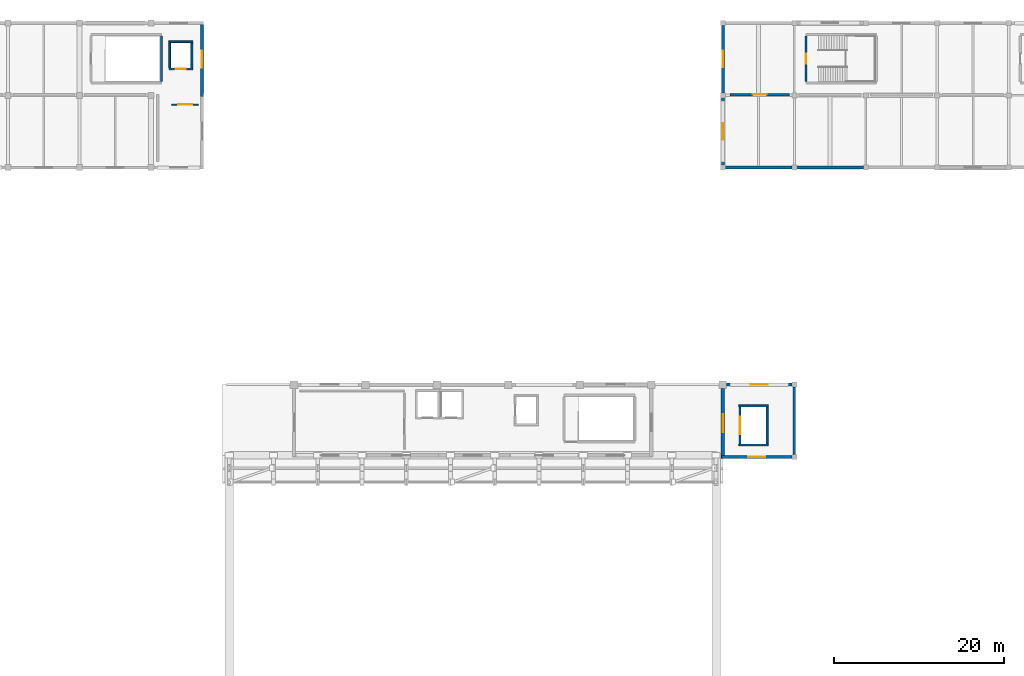
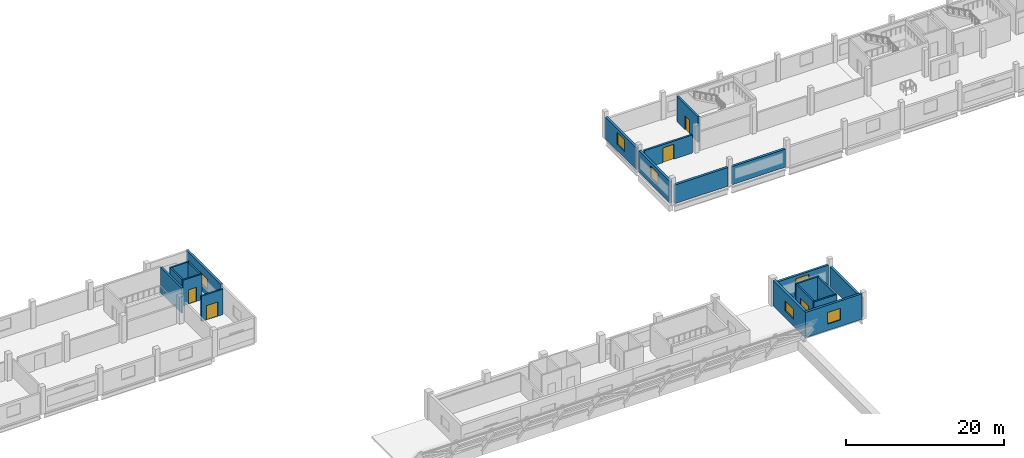
# One storey, part 43 of 52: 21 walls, 6 windows, 5 doors, 11 openings.
"""IFC4 building model written with IfcOpenShell, lengths in metres."""

from ifc_helpers import new_model, si_unit, direction, frame, frame_2d, origin, place, context, subcontext, project, spatial, rectangle, extrude, material, layer, layer_set, type_object, element, fill, save


model = new_model("IFC4")

# Units and contexts
model_context = context("Model", 3, precision=1e-05, world=origin(), true_north=direction((0.0, 1.0)))
body_context = subcontext(model_context, "Body", "Model", "MODEL_VIEW")
ifc_project = project(units=[si_unit("LENGTHUNIT", "METRE"), si_unit("AREAUNIT", "SQUARE_METRE"), si_unit("VOLUMEUNIT", "CUBIC_METRE"), si_unit("PLANEANGLEUNIT", "RADIAN"), si_unit("MASSUNIT", "GRAM", prefix="KILO")], contexts=[model_context])

# Site, building, storey
site_placement = place(None, origin())
site = spatial("IfcSite", under=ifc_project, at=site_placement, CompositionType="ELEMENT")
building_placement = place(site_placement, origin())
building = spatial("IfcBuilding", under=site, at=building_placement, Name="Solvento Point Concert Hall", CompositionType="ELEMENT")
storey_placement = place(building_placement, frame((0.0, 0.0, 19.5)))
storey = spatial("IfcBuildingStorey", under=building, at=storey_placement, Name="L04", CompositionType="ELEMENT", Elevation=19.5)

# Wall, opening, door
ifc_material_1 = material(Name="Acoustic Double-Stud Gypsum Partition")
ifc_layer_1 = layer(ifc_material_1, 0.2080078125)
ifc_layer_set_1 = layer_set([ifc_layer_1], Name="Acoustic Double-Stud Gypsum Partition")
wall_type_1 = type_object("IfcWallType", Name="AcousticPartition_208", PredefinedType="PARTITIONING", material=ifc_layer_set_1)
wall_1_placement = place(storey_placement, frame((68.39990234375, 126.39990234375, 0.0), z_axis=(0.0, 0.0, 1.0), x_axis=(1.0, 0.0, 0.0)))
wall_1 = element("IfcWall", 1, at=wall_1_placement, inside=storey, type_object=wall_type_1, Name="Lift lobby partition LP-03 L04", PredefinedType="PARTITIONING", context=body_context, shape_type="SweptSolid", body=[
    extrude(rectangle(XDim=3.2001953125, YDim=0.2080078125, at=frame_2d((1.60009765625, 0.0))), origin(), (0.0, 0.0, 1.0), 3.93994140625),
])
opening_1_placement = place(wall_1_placement, frame((0.77490234375, 0.0, 0.0)))
opening_1 = element("IfcOpeningElement", 2, at=opening_1_placement, cuts=wall_1, Name="Opening D-FL1", PredefinedType="OPENING", context=body_context, shape_type="SweptSolid", body=[
    extrude(rectangle(XDim=1.64990234375, YDim=2.199951171875, at=frame_2d((0.824951171875, 1.10009765625))), frame((0.0, 0.114013671875, 0.0), z_axis=(0.0, -1.0, 0.0), x_axis=(1.0, 0.0, 0.0)), (0.0, 0.0, 1.0), 0.22802734375),
])
ifc_material_2 = material(Name="Hollow Metal Acoustic Fire Door")
door_type_1 = type_object("IfcDoorType", Name="FireLobbyDoor_1600", OperationType="DOUBLE_DOOR_SINGLE_SWING", PredefinedType="DOOR", material=ifc_material_2)
door_1_placement = place(opening_1_placement, origin())
door_1 = element("IfcDoor", 3, at=door_1_placement, inside=storey, type_object=door_type_1, Name="Lift lobby door LP-03 L04", OperationType="DOUBLE_DOOR_SINGLE_SWING", OverallHeight=2.199951171875, OverallWidth=1.64990234375, PredefinedType="DOOR", context=body_context, shape_type="SweptSolid", body=[
    extrude(rectangle(XDim=1.64990234375, YDim=2.199951171875, at=frame_2d((0.824951171875, 1.10009765625))), frame((0.0, 0.02490234375, 0.0), z_axis=(0.0, -1.0, 0.0), x_axis=(1.0, 0.0, 0.0)), (0.0, 0.0, 1.0), 0.050048828125),
])
fill(opening_1, door_1)

ifc_material_3 = material(Name="Acoustic Double-Stud Gypsum Partition")
ifc_layer_2 = layer(ifc_material_3, 0.264892578125)
ifc_layer_set_2 = layer_set([ifc_layer_2], Name="Acoustic Double-Stud Gypsum Partition")
wall_type_2 = type_object("IfcWallType", Name="AcousticPartition_265", PredefinedType="PARTITIONING", material=ifc_layer_set_2)
wall_2_placement = place(storey_placement, frame((134.02001953125, 127.580078125, 0.0), z_axis=(0.0, 0.0, 1.0), x_axis=(1.0, 0.0, 0.0)))
wall_2 = element("IfcWall", 4, at=wall_2_placement, inside=storey, type_object=wall_type_2, Name="Interior acoustic partition PW-68 L04", PredefinedType="PARTITIONING", context=body_context, shape_type="SweptSolid", body=[
    extrude(rectangle(XDim=7.030029296875, YDim=0.264892578125, at=frame_2d((3.51513671875, 0.0))), origin(), (0.0, 0.0, 1.0), 2.80810546875),
])
opening_2_placement = place(wall_2_placement, frame((2.715087890625, 0.0, 0.0)))
opening_2 = element("IfcOpeningElement", 5, at=opening_2_placement, cuts=wall_2, Name="Opening DR-40", PredefinedType="OPENING", context=body_context, shape_type="SweptSolid", body=[
    extrude(rectangle(XDim=1.60009765625, YDim=2.300048828125, at=frame_2d((0.800048828125, 1.14990234375))), frame((0.0, 0.142333984375, 0.0), z_axis=(0.0, -1.0, 0.0), x_axis=(1.0, 0.0, 0.0)), (0.0, 0.0, 1.0), 0.284912109375),
])
ifc_material_4 = material(Name="Brazilian Hardwood Acoustic Door", Category="wood")
door_type_2 = type_object("IfcDoorType", Name="IntDoor_ArchiveFD90", OperationType="NOTDEFINED", PredefinedType="DOOR", material=ifc_material_4)
door_2_placement = place(opening_2_placement, origin())
door_2 = element("IfcDoor", 6, at=door_2_placement, inside=storey, type_object=door_type_2, Name="Interior door DR-40 L04", OperationType="SINGLE_SWING_RIGHT", OverallHeight=2.300048828125, OverallWidth=1.60009765625, PredefinedType="DOOR", context=body_context, shape_type="SweptSolid", body=[
    extrude(rectangle(XDim=1.60009765625, YDim=2.300048828125, at=frame_2d((0.800048828125, 1.14990234375))), frame((0.0, 0.02490234375, 0.0), z_axis=(0.0, -1.0, 0.0), x_axis=(1.0, 0.0, 0.0)), (0.0, 0.0, 1.0), 0.050048828125),
])
fill(opening_2, door_2)

# Wall
ifc_material_5 = material(Name="Concrete C40/50", Category="concrete")
ifc_layer_3 = layer(ifc_material_5, 0.300048828125)
ifc_layer_set_3 = layer_set([ifc_layer_3], Name="Concrete C40/50")
wall_type_3 = type_object("IfcWallType", Name="CoreShearWall_300", PredefinedType="SHEAR", material=ifc_layer_set_3)
wall_3_placement = place(storey_placement, frame((67.25, 134.449951171875, 0.0), z_axis=(0.0, 0.0, 1.0), x_axis=(0.0, -1.0, 0.0)))
element("IfcWall", 7, at=wall_3_placement, inside=storey, type_object=wall_type_3, Name="Stair core shear wall W-SH1 ST-04 L04", PredefinedType="SHEAR", context=body_context, shape_type="SweptSolid", body=[
    extrude(rectangle(XDim=5.300048828125, YDim=0.25, at=frame_2d((2.64990234375, 0.0))), origin(), (0.0, 0.0, 1.0), 3.93994140625),
])

# Wall, opening, door
wall_4_placement = place(storey_placement, frame((142.949951171875, 129.14990234375, 0.0), z_axis=(0.0, 0.0, 1.0), x_axis=(0.0, 1.0, 0.0)))
wall_4 = element("IfcWall", 8, at=wall_4_placement, inside=storey, type_object=wall_type_3, Name="Stair core shear wall W-SH1 ST-12 L04", PredefinedType="SHEAR", context=body_context, shape_type="SweptSolid", body=[
    extrude(rectangle(XDim=5.300048828125, YDim=0.25, at=frame_2d((2.64990234375, 0.0))), origin(), (0.0, 0.0, 1.0), 3.93994140625),
])
opening_3_placement = place(wall_4_placement, frame((2.074951171875, 0.0, 0.0)))
opening_3 = element("IfcOpeningElement", 9, at=opening_3_placement, cuts=wall_4, Name="Opening D-ST1", PredefinedType="OPENING", context=body_context, shape_type="SweptSolid", body=[
    extrude(rectangle(XDim=1.14990234375, YDim=2.179931640625, at=frame_2d((0.574951171875, 1.08984375))), frame((0.0, 0.135009765625, 0.0), z_axis=(0.0, -1.0, 0.0), x_axis=(1.0, 0.0, 0.0)), (0.0, 0.0, 1.0), 0.27001953125),
])
ifc_material_6 = material(Name="Hollow Metal Acoustic Fire Door")
door_type_3 = type_object("IfcDoorType", Name="StairFireDoor_1150", OperationType="NOTDEFINED", PredefinedType="DOOR", material=ifc_material_6)
door_3_placement = place(opening_3_placement, origin())
door_3 = element("IfcDoor", 10, at=door_3_placement, inside=storey, type_object=door_type_3, Name="Protected exit stair door ST-12 L04", OperationType="SINGLE_SWING_RIGHT", OverallHeight=2.179931640625, OverallWidth=1.14990234375, PredefinedType="DOOR", context=body_context, shape_type="SweptSolid", body=[
    extrude(rectangle(XDim=1.14990234375, YDim=2.179931640625, at=frame_2d((0.574951171875, 1.08984375))), frame((0.0, 0.02490234375, 0.0), z_axis=(0.0, -1.0, 0.0), x_axis=(1.0, 0.0, 0.0)), (0.0, 0.0, 1.0), 0.050048828125),
])
fill(opening_3, door_3)

wall_5_placement = place(storey_placement, frame((68.090087890625, 130.60009765625, 0.0), z_axis=(0.0, 0.0, 1.0), x_axis=(1.0, 0.0, 0.0)))
wall_5 = element("IfcWall", 11, at=wall_5_placement, inside=storey, type_object=wall_type_3, Name="Elevator shaft shear wall W-SH1 LP-03 L04", PredefinedType="SHEAR", context=body_context, shape_type="SweptSolid", body=[
    extrude(rectangle(XDim=2.81982421875, YDim=0.219970703125, at=frame_2d((1.409912109375, 0.0))), origin(), (0.0, 0.0, 1.0), 3.93994140625),
])
opening_4_placement = place(wall_5_placement, frame((0.8349609375, 0.0, 0.0)))
opening_4 = element("IfcOpeningElement", 12, at=opening_4_placement, cuts=wall_5, Name="Opening LD-02", PredefinedType="OPENING", context=body_context, shape_type="SweptSolid", body=[
    extrude(rectangle(XDim=1.14990234375, YDim=2.199951171875, at=frame_2d((0.574951171875, 1.10009765625))), frame((0.0, 0.119873046875, 0.0), z_axis=(0.0, -1.0, 0.0), x_axis=(1.0, 0.0, 0.0)), (0.0, 0.0, 1.0), 0.239990234375),
])
ifc_material_7 = material(Name="Hollow Metal Acoustic Fire Door")
door_type_4 = type_object("IfcDoorType", Name="LiftLandingDoor_Pass", OperationType="SLIDING_TO_LEFT", PredefinedType="DOOR", material=ifc_material_7)
door_4_placement = place(opening_4_placement, origin())
door_4 = element("IfcDoor", 13, at=door_4_placement, inside=storey, type_object=door_type_4, Name="Elevator landing door LP-03 L04", OperationType="SLIDING_TO_LEFT", OverallHeight=2.199951171875, OverallWidth=1.14990234375, PredefinedType="DOOR", context=body_context, shape_type="SweptSolid", body=[
    extrude(rectangle(XDim=1.14990234375, YDim=2.199951171875, at=frame_2d((0.574951171875, 1.10009765625))), frame((0.0, 0.02490234375, 0.0), z_axis=(0.0, -1.0, 0.0), x_axis=(1.0, 0.0, 0.0)), (0.0, 0.0, 1.0), 0.050048828125),
])
fill(opening_4, door_4)

# Walls
wall_6_placement = place(storey_placement, frame((68.090087890625, 133.800048828125, 0.0), z_axis=(0.0, 0.0, 1.0), x_axis=(1.0, 0.0, 0.0)))
element("IfcWall", 14, at=wall_6_placement, inside=storey, type_object=wall_type_3, Name="Elevator shaft shear wall W-SH1 LP-03 L04", PredefinedType="SHEAR", context=body_context, shape_type="SweptSolid", body=[
    extrude(rectangle(XDim=2.81982421875, YDim=0.219970703125, at=frame_2d((1.409912109375, 0.0))), origin(), (0.0, 0.0, 1.0), 3.93994140625),
])
for number, where, z_axis, x_axis, name in (
    (15, (68.199951171875, 130.7099609375, 0.0), (0.0, 0.0, 1.0), (0.0, 1.0, 0.0), "Elevator shaft shear wall W-SH1 LP-03 L04"),
    (16, (70.800048828125, 130.7099609375, 0.0), (0.0, 0.0, 1.0), (0.0, 1.0, 0.0), "Elevator shaft shear wall W-SH1 LP-03 L04"),
):
    element("IfcWall", number, at=place(storey_placement, frame(where, z_axis=z_axis, x_axis=x_axis)), inside=storey, type_object=wall_type_3, Name=name, PredefinedType="SHEAR", context=body_context, shape_type="SweptSolid", body=[
        extrude(rectangle(XDim=2.97998046875, YDim=0.219970703125, at=frame_2d((1.489990234375, 0.0))), origin(), (0.0, 0.0, 1.0), 3.93994140625),
    ])
for number, where, z_axis, x_axis, name in (
    (17, (135.090087890625, 86.39990234375, 0.0), (0.0, 0.0, 1.0), (1.0, 0.0, 0.0), "Elevator shaft shear wall W-SH1 LG-01 L04"),
    (18, (135.090087890625, 91.0, 0.0), (0.0, 0.0, 1.0), (1.0, 0.0, 0.0), "Elevator shaft shear wall W-SH1 LG-01 L04"),
):
    element("IfcWall", number, at=place(storey_placement, frame(where, z_axis=z_axis, x_axis=x_axis)), inside=storey, type_object=wall_type_3, Name=name, PredefinedType="SHEAR", context=body_context, shape_type="SweptSolid", body=[
        extrude(rectangle(XDim=3.419921875, YDim=0.219970703125, at=frame_2d((1.7099609375, 0.0))), origin(), (0.0, 0.0, 1.0), 3.93994140625),
    ])

# Wall, opening, door
wall_7_placement = place(storey_placement, frame((135.199951171875, 86.510009765625, 0.0), z_axis=(0.0, 0.0, 1.0), x_axis=(0.0, 1.0, 0.0)))
wall_7 = element("IfcWall", 19, at=wall_7_placement, inside=storey, type_object=wall_type_3, Name="Elevator shaft shear wall W-SH1 LG-01 L04", PredefinedType="SHEAR", context=body_context, shape_type="SweptSolid", body=[
    extrude(rectangle(XDim=4.3798828125, YDim=0.219970703125, at=frame_2d((2.18994140625, 0.0))), origin(), (0.0, 0.0, 1.0), 3.93994140625),
])
opening_5_placement = place(wall_7_placement, frame((1.139892578125, 0.0, 0.0)))
opening_5 = element("IfcOpeningElement", 20, at=opening_5_placement, cuts=wall_7, Name="Opening LD-03", PredefinedType="OPENING", context=body_context, shape_type="SweptSolid", body=[
    extrude(rectangle(XDim=2.10009765625, YDim=2.449951171875, at=frame_2d((1.050048828125, 1.22509765625))), frame((0.0, 0.119873046875, 0.0), z_axis=(0.0, -1.0, 0.0), x_axis=(1.0, 0.0, 0.0)), (0.0, 0.0, 1.0), 0.239990234375),
])
ifc_material_8 = material(Name="Hollow Metal Acoustic Fire Door")
door_type_5 = type_object("IfcDoorType", Name="LiftLandingDoor_Goods", OperationType="DOUBLE_DOOR_SLIDING", PredefinedType="DOOR", material=ifc_material_8)
door_5_placement = place(opening_5_placement, origin())
door_5 = element("IfcDoor", 21, at=door_5_placement, inside=storey, type_object=door_type_5, Name="Elevator landing door LG-01 L04", OperationType="DOUBLE_DOOR_SLIDING", OverallHeight=2.449951171875, OverallWidth=2.10009765625, PredefinedType="DOOR", context=body_context, shape_type="SweptSolid", body=[
    extrude(rectangle(XDim=2.10009765625, YDim=2.449951171875, at=frame_2d((1.050048828125, 1.22509765625))), frame((0.0, 0.02490234375, 0.0), z_axis=(0.0, -1.0, 0.0), x_axis=(1.0, 0.0, 0.0)), (0.0, 0.0, 1.0), 0.050048828125),
])
fill(opening_5, door_5)

# Wall
wall_8_placement = place(storey_placement, frame((138.39990234375, 86.510009765625, 0.0), z_axis=(0.0, 0.0, 1.0), x_axis=(0.0, 1.0, 0.0)))
element("IfcWall", 22, at=wall_8_placement, inside=storey, type_object=wall_type_3, Name="Elevator shaft shear wall W-SH1 LG-01 L04", PredefinedType="SHEAR", context=body_context, shape_type="SweptSolid", body=[
    extrude(rectangle(XDim=4.3798828125, YDim=0.219970703125, at=frame_2d((2.18994140625, 0.0))), origin(), (0.0, 0.0, 1.0), 3.93994140625),
])

# Wall, opening, window
ifc_material_9 = material(Name="Concrete C40/50", Category="concrete")
ifc_layer_4 = layer(ifc_material_9, 0.389892578125)
ifc_layer_set_4 = layer_set([ifc_layer_4], Name="Concrete C40/50")
wall_type_4 = type_object("IfcWallType", Name="ExtWall_V1_Gallery_390", PredefinedType="SOLIDWALL", material=ifc_layer_set_4)
wall_9_placement = place(storey_placement, frame((133.199951171875, 84.840087890625, 0.0), z_axis=(0.0, 0.0, 1.0), x_axis=(0.0, 1.0, 0.0)))
wall_9 = element("IfcWall", 23, at=wall_9_placement, inside=storey, type_object=wall_type_4, Name="Exterior architectural concrete wall EW-28 L04", PredefinedType="SOLIDWALL", context=body_context, shape_type="SweptSolid", body=[
    extrude(rectangle(XDim=8.22998046875, YDim=0.389892578125, at=frame_2d((4.114990234375, 0.0))), origin(), (0.0, 0.0, 1.0), 3.93994140625),
])
opening_6_placement = place(wall_9_placement, frame((3.06494140625, 0.0, 1.10009765625)))
opening_6 = element("IfcOpeningElement", 24, at=opening_6_placement, cuts=wall_9, Name="Opening WN-80", PredefinedType="OPENING", context=body_context, shape_type="SweptSolid", body=[
    extrude(rectangle(XDim=2.10009765625, YDim=1.5, at=frame_2d((1.050048828125, 0.75))), frame((0.0, 0.204833984375, 0.0), z_axis=(0.0, -1.0, 0.0), x_axis=(1.0, 0.0, 0.0)), (0.0, 0.0, 1.0), 0.409912109375),
])
ifc_material_10 = material(Name="Hurricane Laminated Low-E Glass", Category="glass")
window_type_1 = type_object("IfcWindowType", Name="Win_V1_TechClerestory", PartitioningType="SINGLE_PANEL", PredefinedType="WINDOW", material=ifc_material_10)
window_1_placement = place(opening_6_placement, origin())
window_1 = element("IfcWindow", 25, at=window_1_placement, inside=storey, type_object=window_type_1, Name="Impact acoustic window WN-80", OverallHeight=1.5, OverallWidth=2.10009765625, PartitioningType="SINGLE_PANEL", PredefinedType="WINDOW", context=body_context, shape_type="SweptSolid", body=[
    extrude(rectangle(XDim=2.10009765625, YDim=1.5, at=frame_2d((1.050048828125, 0.75))), frame((0.0, 0.030029296875, 0.0), z_axis=(0.0, -1.0, 0.0), x_axis=(1.0, 0.0, 0.0)), (0.0, 0.0, 1.0), 0.06005859375),
])
fill(opening_6, window_1)

ifc_material_11 = material(Name="Concrete C40/50", Category="concrete")
ifc_layer_5 = layer(ifc_material_11, 0.31005859375)
ifc_layer_set_5 = layer_set([ifc_layer_5], Name="Concrete C40/50")
wall_type_5 = type_object("IfcWallType", Name="ExtWall_V4_Cler_310", PredefinedType="SOLIDWALL", material=ifc_layer_set_5)
wall_10_placement = place(storey_placement, frame((72.0, 136.159912109375, 0.0), z_axis=(0.0, 0.0, 1.0), x_axis=(0.0, -1.0, 0.0)))
wall_10 = element("IfcWall", 26, at=wall_10_placement, inside=storey, type_object=wall_type_5, Name="Exterior architectural concrete wall EW-30 L04", PredefinedType="SOLIDWALL", context=body_context, shape_type="SweptSolid", body=[
    extrude(rectangle(XDim=8.81982421875, YDim=0.31005859375, at=frame_2d((4.409912109375, 0.0))), origin(), (0.0, 0.0, 1.0), 3.93994140625),
])
opening_7_placement = place(wall_10_placement, frame((3.409912109375, 0.0, 1.050048828125)))
opening_7 = element("IfcOpeningElement", 27, at=opening_7_placement, cuts=wall_10, Name="Opening WN-14", PredefinedType="OPENING", context=body_context, shape_type="SweptSolid", body=[
    extrude(rectangle(XDim=2.0, YDim=1.64990234375, at=frame_2d((1.0, 0.824951171875))), frame((0.0, 0.1650390625, 0.0), z_axis=(0.0, -1.0, 0.0), x_axis=(1.0, 0.0, 0.0)), (0.0, 0.0, 1.0), 0.330078125),
])
ifc_material_12 = material(Name="Hurricane Laminated Low-E Glass", Category="glass")
window_type_2 = type_object("IfcWindowType", Name="Win_V4_Practice_L04", PartitioningType="SINGLE_PANEL", PredefinedType="WINDOW", material=ifc_material_12)
window_2_placement = place(opening_7_placement, origin())
window_2 = element("IfcWindow", 28, at=window_2_placement, inside=storey, type_object=window_type_2, Name="Impact acoustic window WN-14", OverallHeight=1.64990234375, OverallWidth=2.0, PartitioningType="SINGLE_PANEL", PredefinedType="WINDOW", context=body_context, shape_type="SweptSolid", body=[
    extrude(rectangle(XDim=2.0, YDim=1.64990234375, at=frame_2d((1.0, 0.824951171875))), frame((0.0, 0.030029296875, 0.0), z_axis=(0.0, -1.0, 0.0), x_axis=(1.0, 0.0, 0.0)), (0.0, 0.0, 1.0), 0.06005859375),
])
fill(opening_7, window_2)

# Walls
ifc_material_13 = material(Name="Concrete C35/45", Category="concrete")
ifc_layer_6 = layer(ifc_material_13, 0.330078125)
ifc_layer_set_6 = layer_set([ifc_layer_6], Name="Concrete C35/45")
wall_type_6 = type_object("IfcWallType", Name="ExtWall_V5_Plinth_330", PredefinedType="SOLIDWALL", material=ifc_layer_set_6)
wall_11_placement = place(storey_placement, frame((141.320068359375, 119.0, 0.0), z_axis=(0.0, 0.0, 1.0), x_axis=(-1.0, 0.0, 0.0)))
element("IfcWall", 29, at=wall_11_placement, inside=storey, type_object=wall_type_6, Name="Exterior architectural concrete wall EW-72 L04", PredefinedType="SOLIDWALL", context=body_context, shape_type="SweptSolid", body=[
    extrude(rectangle(XDim=7.840087890625, YDim=0.330078125, at=frame_2d((3.919921875, 0.0))), origin(), (0.0, 0.0, 1.0), 2.906982421875),
])
wall_12_placement = place(storey_placement, frame((149.719970703125, 119.0, 0.0), z_axis=(0.0, 0.0, 1.0), x_axis=(-1.0, 0.0, 0.0)))
element("IfcWall", 30, at=wall_12_placement, inside=storey, type_object=wall_type_6, Name="Exterior architectural concrete wall EW-72 L04", PredefinedType="SOLIDWALL", context=body_context, shape_type="SweptSolid", body=[
    extrude(rectangle(XDim=7.840087890625, YDim=0.330078125, at=frame_2d((3.919921875, 0.0))), origin(), (0.0, 0.0, 1.0), 2.80810546875),
])

# Wall, opening, window
wall_13_placement = place(storey_placement, frame((133.199951171875, 119.280029296875, 0.0), z_axis=(0.0, 0.0, 1.0), x_axis=(0.0, 1.0, 0.0)))
wall_13 = element("IfcWall", 31, at=wall_13_placement, inside=storey, type_object=wall_type_6, Name="Exterior architectural concrete wall EW-72 L04", PredefinedType="SOLIDWALL", context=body_context, shape_type="SweptSolid", body=[
    extrude(rectangle(XDim=7.93994140625, YDim=0.330078125, at=frame_2d((3.969970703125, 0.0))), origin(), (0.0, 0.0, 1.0), 3.31591796875),
])
opening_8_placement = place(wall_13_placement, frame((2.9951171875, 0.0, 1.0)))
opening_8 = element("IfcOpeningElement", 32, at=opening_8_placement, cuts=wall_13, Name="Opening WN-59", PredefinedType="OPENING", context=body_context, shape_type="SweptSolid", body=[
    extrude(rectangle(XDim=1.949951171875, YDim=1.800048828125, at=frame_2d((0.97509765625, 0.89990234375))), frame((0.0, 0.175048828125, 0.0), z_axis=(0.0, -1.0, 0.0), x_axis=(1.0, 0.0, 0.0)), (0.0, 0.0, 1.0), 0.35009765625),
])
ifc_material_14 = material(Name="Hurricane Laminated Low-E Glass", Category="glass")
window_type_3 = type_object("IfcWindowType", Name="Win_V5_Faculty_L04", PartitioningType="SINGLE_PANEL", PredefinedType="WINDOW", material=ifc_material_14)
window_3_placement = place(opening_8_placement, origin())
window_3 = element("IfcWindow", 33, at=window_3_placement, inside=storey, type_object=window_type_3, Name="Impact acoustic window WN-59", OverallHeight=1.800048828125, OverallWidth=1.949951171875, PartitioningType="SINGLE_PANEL", PredefinedType="WINDOW", context=body_context, shape_type="SweptSolid", body=[
    extrude(rectangle(XDim=1.949951171875, YDim=1.800048828125, at=frame_2d((0.97509765625, 0.89990234375))), frame((0.0, 0.030029296875, 0.0), z_axis=(0.0, -1.0, 0.0), x_axis=(1.0, 0.0, 0.0)), (0.0, 0.0, 1.0), 0.06005859375),
])
fill(opening_8, window_3)

wall_14_placement = place(storey_placement, frame((133.199951171875, 127.780029296875, 0.0), z_axis=(0.0, 0.0, 1.0), x_axis=(0.0, 1.0, 0.0)))
wall_14 = element("IfcWall", 34, at=wall_14_placement, inside=storey, type_object=wall_type_6, Name="Exterior architectural concrete wall EW-72 L04", PredefinedType="SOLIDWALL", context=body_context, shape_type="SweptSolid", body=[
    extrude(rectangle(XDim=7.93994140625, YDim=0.330078125, at=frame_2d((3.969970703125, 0.0))), origin(), (0.0, 0.0, 1.0), 3.375),
])
opening_9_placement = place(wall_14_placement, frame((2.9951171875, 0.0, 1.0)))
opening_9 = element("IfcOpeningElement", 35, at=opening_9_placement, cuts=wall_14, Name="Opening WN-59", PredefinedType="OPENING", context=body_context, shape_type="SweptSolid", body=[
    extrude(rectangle(XDim=1.949951171875, YDim=1.800048828125, at=frame_2d((0.97509765625, 0.89990234375))), frame((0.0, 0.175048828125, 0.0), z_axis=(0.0, -1.0, 0.0), x_axis=(1.0, 0.0, 0.0)), (0.0, 0.0, 1.0), 0.35009765625),
])
window_4_placement = place(opening_9_placement, origin())
window_4 = element("IfcWindow", 36, at=window_4_placement, inside=storey, type_object=window_type_3, Name="Impact acoustic window WN-59", OverallHeight=1.800048828125, OverallWidth=1.949951171875, PartitioningType="SINGLE_PANEL", PredefinedType="WINDOW", context=body_context, shape_type="SweptSolid", body=[
    extrude(rectangle(XDim=1.949951171875, YDim=1.800048828125, at=frame_2d((0.97509765625, 0.89990234375))), frame((0.0, 0.030029296875, 0.0), z_axis=(0.0, -1.0, 0.0), x_axis=(1.0, 0.0, 0.0)), (0.0, 0.0, 1.0), 0.06005859375),
])
fill(opening_9, window_4)

wall_15_placement = place(storey_placement, frame((133.6298828125, 93.5, 0.0), z_axis=(0.0, 0.0, 1.0), x_axis=(1.0, 0.0, 0.0)))
wall_15 = element("IfcWall", 37, at=wall_15_placement, inside=storey, type_object=wall_type_6, Name="Exterior architectural concrete wall EW-72 L04", PredefinedType="SOLIDWALL", context=body_context, shape_type="SweptSolid", body=[
    extrude(rectangle(XDim=7.690185546875, YDim=0.330078125, at=frame_2d((3.84521484375, 0.0))), origin(), (0.0, 0.0, 1.0), 3.23095703125),
])
opening_10_placement = place(wall_15_placement, frame((2.8701171875, 0.0, 1.0)))
opening_10 = element("IfcOpeningElement", 38, at=opening_10_placement, cuts=wall_15, Name="Opening WN-59", PredefinedType="OPENING", context=body_context, shape_type="SweptSolid", body=[
    extrude(rectangle(XDim=1.949951171875, YDim=1.800048828125, at=frame_2d((0.97509765625, 0.89990234375))), frame((0.0, 0.175048828125, 0.0), z_axis=(0.0, -1.0, 0.0), x_axis=(1.0, 0.0, 0.0)), (0.0, 0.0, 1.0), 0.35009765625),
])
window_5_placement = place(opening_10_placement, origin())
window_5 = element("IfcWindow", 39, at=window_5_placement, inside=storey, type_object=window_type_3, Name="Impact acoustic window WN-59", OverallHeight=1.800048828125, OverallWidth=1.949951171875, PartitioningType="SINGLE_PANEL", PredefinedType="WINDOW", context=body_context, shape_type="SweptSolid", body=[
    extrude(rectangle(XDim=1.949951171875, YDim=1.800048828125, at=frame_2d((0.97509765625, 0.89990234375))), frame((0.0, 0.030029296875, 0.0), z_axis=(0.0, -1.0, 0.0), x_axis=(1.0, 0.0, 0.0)), (0.0, 0.0, 1.0), 0.06005859375),
])
fill(opening_10, window_5)

# Wall
wall_16_placement = place(storey_placement, frame((141.60009765625, 93.219970703125, 0.0), z_axis=(0.0, 0.0, 1.0), x_axis=(0.0, -1.0, 0.0)))
element("IfcWall", 40, at=wall_16_placement, inside=storey, type_object=wall_type_6, Name="Exterior architectural concrete wall EW-72 L04", PredefinedType="SOLIDWALL", context=body_context, shape_type="SweptSolid", body=[
    extrude(rectangle(XDim=7.93994140625, YDim=0.330078125, at=frame_2d((3.969970703125, 0.0))), origin(), (0.0, 0.0, 1.0), 2.9970703125),
])

# Wall, opening, window
wall_17_placement = place(storey_placement, frame((141.320068359375, 85.0, 0.0), z_axis=(0.0, 0.0, 1.0), x_axis=(-1.0, 0.0, 0.0)))
wall_17 = element("IfcWall", 41, at=wall_17_placement, inside=storey, type_object=wall_type_6, Name="Exterior architectural concrete wall EW-72 L04", PredefinedType="SOLIDWALL", context=body_context, shape_type="SweptSolid", body=[
    extrude(rectangle(XDim=8.280029296875, YDim=0.330078125, at=frame_2d((4.14013671875, 0.0))), origin(), (0.0, 0.0, 1.0), 3.93994140625),
])
opening_11_placement = place(wall_17_placement, frame((3.1650390625, 0.0, 1.0)))
opening_11 = element("IfcOpeningElement", 42, at=opening_11_placement, cuts=wall_17, Name="Opening WN-59", PredefinedType="OPENING", context=body_context, shape_type="SweptSolid", body=[
    extrude(rectangle(XDim=1.949951171875, YDim=1.800048828125, at=frame_2d((0.97509765625, 0.89990234375))), frame((0.0, 0.175048828125, 0.0), z_axis=(0.0, -1.0, 0.0), x_axis=(1.0, 0.0, 0.0)), (0.0, 0.0, 1.0), 0.35009765625),
])
window_6_placement = place(opening_11_placement, origin())
window_6 = element("IfcWindow", 43, at=window_6_placement, inside=storey, type_object=window_type_3, Name="Impact acoustic window WN-59", OverallHeight=1.800048828125, OverallWidth=1.949951171875, PartitioningType="SINGLE_PANEL", PredefinedType="WINDOW", context=body_context, shape_type="SweptSolid", body=[
    extrude(rectangle(XDim=1.949951171875, YDim=1.800048828125, at=frame_2d((0.97509765625, 0.89990234375))), frame((0.0, 0.030029296875, 0.0), z_axis=(0.0, -1.0, 0.0), x_axis=(1.0, 0.0, 0.0)), (0.0, 0.0, 1.0), 0.06005859375),
])
fill(opening_11, window_6)

save(model, "model.ifc")
